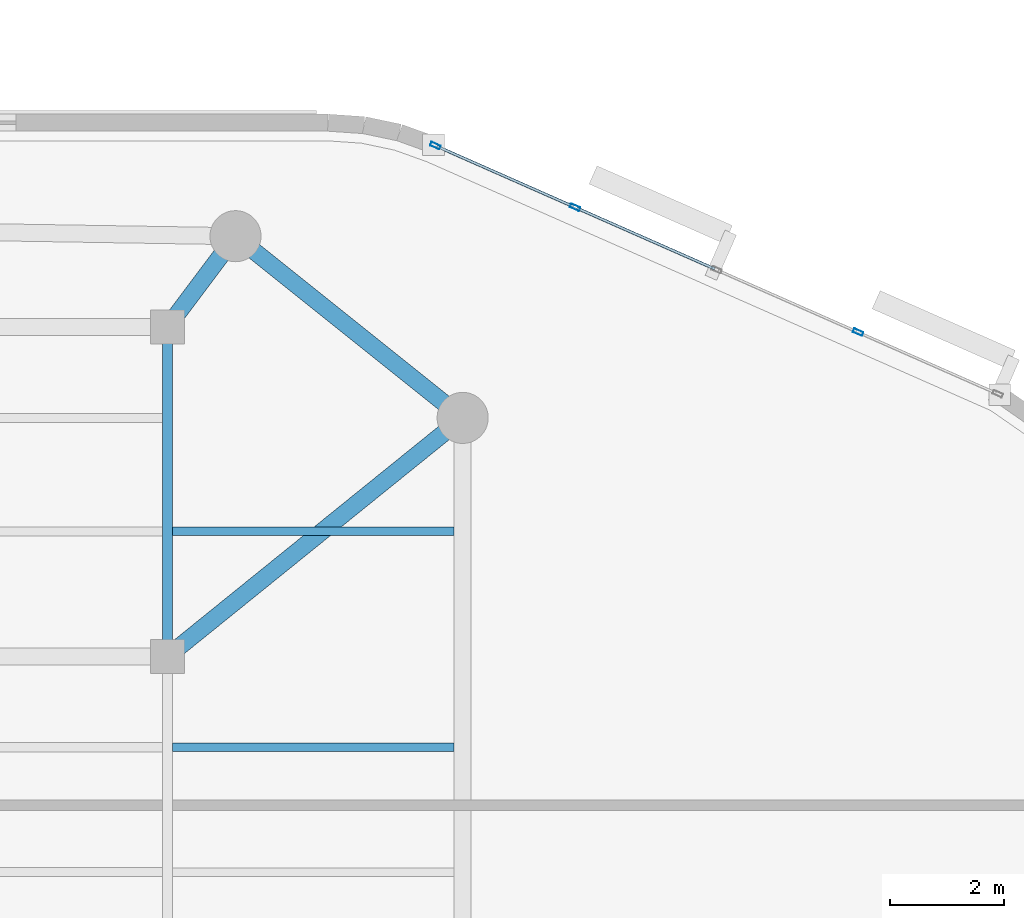
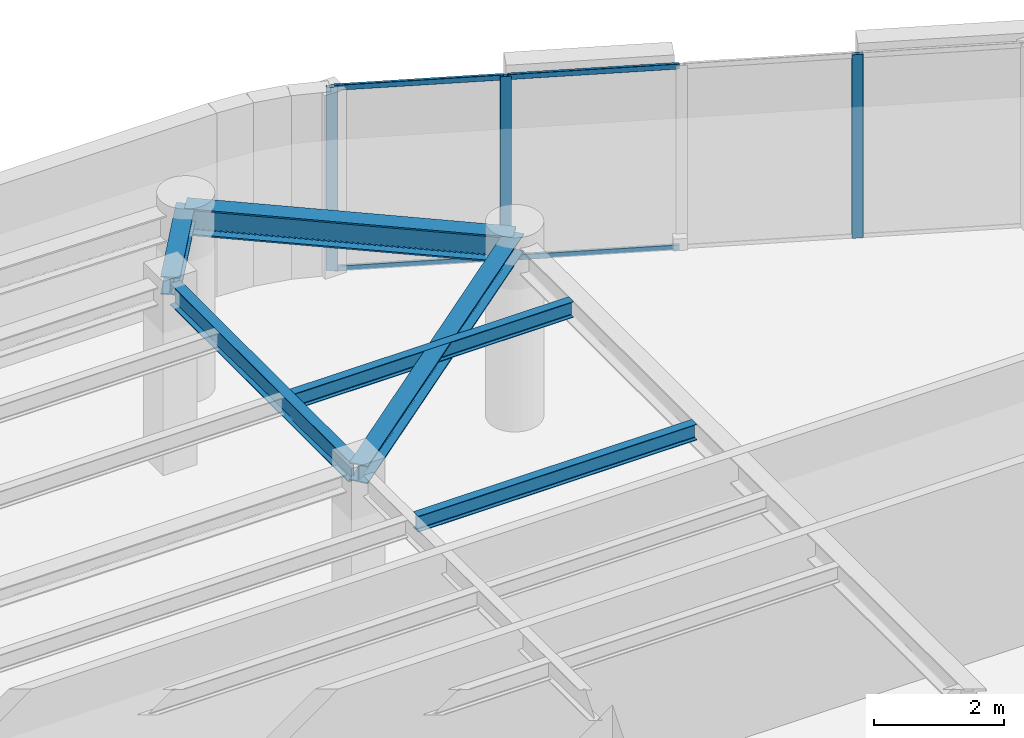
# One storey, part 5 of 12: 7 members, 6 beams, 1 element without a shape of its own.
"""IFC4 building model written with IfcOpenShell, lengths in metres."""

import ifcopenshell
import ifcopenshell.guid

model = None  # the IFC model being written
_history = None  # IfcOwnerHistory: only IFC2X3 demands one
_inside = {}  # id of a spatial element -> (the spatial element, [elements in it])
_under = {}  # id of a project, library or spatial element -> (it, [spatial elements below it])
_declared = {}  # id of a project -> (the project, [libraries it declares])
_typed = {}  # id of a type object -> (the type object, [elements of that type])
_made_of = {}  # id of a material, layer set ... -> (it, [elements and type objects made of it])


def new_model(schema):
    """Start an empty IFC model of exactly this schema.

    Asked for "IFC4X3", IfcOpenShell would pick the latest addendum, in which some entities
    have other attributes; the version numbers below select the first issue.
    IFC2X3 requires an IfcOwnerHistory on every rooted entity: one is made here for all.
    """
    global model, _history
    if schema == "IFC4X3":
        model = ifcopenshell.file(schema_version=(4, 3, 0, 0))
    else:
        model = ifcopenshell.file(schema=schema)
    _inside.clear()
    _under.clear()
    _declared.clear()
    _typed.clear()
    _made_of.clear()
    _history = None
    if model.schema == "IFC2X3":
        org = make("IfcOrganization", Name="unknown")
        user = make(
            "IfcPersonAndOrganization",
            ThePerson=make("IfcPerson", FamilyName="unknown"),
            TheOrganization=org,
        )
        app = make(
            "IfcApplication",
            ApplicationDeveloper=org,
            Version="unknown",
            ApplicationFullName="unknown",
            ApplicationIdentifier="unknown",
        )
        _history = make(
            "IfcOwnerHistory",
            OwningUser=user,
            OwningApplication=app,
            ChangeAction="ADDED",
            CreationDate=0,
        )
    return model


def make(cls, **values):
    """One entity of the class cls with the attributes given. An attribute that is None is left unset."""
    return model.create_entity(
        cls, **{name: value for name, value in values.items() if value is not None}
    )


def rooted(cls, **values):
    """An entity with a GlobalId (a new one), such as an element, a storey or a relation."""
    return make(cls, GlobalId=ifcopenshell.guid.new(), OwnerHistory=_history, **values)


def si_unit(unit_type, name, prefix=None):
    """IfcSIUnit, for example si_unit("LENGTHUNIT", "METRE", prefix="MILLI")."""
    return make("IfcSIUnit", UnitType=unit_type, Prefix=prefix, Name=name)


def assignment(units):
    """IfcUnitAssignment: the units of a project."""
    return None if units is None else make("IfcUnitAssignment", Units=units)


def point(xyz):
    """IfcCartesianPoint."""
    return None if xyz is None else make("IfcCartesianPoint", Coordinates=xyz)


def direction(xyz):
    """IfcDirection."""
    return None if xyz is None else make("IfcDirection", DirectionRatios=xyz)


def frame(location, z_axis=None, x_axis=None):
    """IfcAxis2Placement3D, a coordinate frame: its origin and axes. An axis left out is left unset."""
    return make(
        "IfcAxis2Placement3D",
        Location=point(location),
        Axis=direction(z_axis),
        RefDirection=direction(x_axis),
    )


def frame_2d(location, x_axis=None):
    """IfcAxis2Placement2D, a coordinate frame in the plane: its origin and x axis."""
    return make(
        "IfcAxis2Placement2D", Location=point(location), RefDirection=direction(x_axis)
    )


def origin():
    """The frame at (0, 0, 0) with its axes left unset."""
    return frame((0.0, 0.0, 0.0))


def origin_2d():
    """The frame at (0, 0) in the plane with its x axis left unset."""
    return frame_2d((0.0, 0.0))


def place(relative_to, where):
    """IfcLocalPlacement: puts the frame where relative to a parent placement (None: the world)."""
    return make(
        "IfcLocalPlacement", PlacementRelTo=relative_to, RelativePlacement=where
    )


def context(
    kind, dimensions, precision=None, world=None, true_north=None, identifier=None
):
    """IfcGeometricRepresentationContext, for example the 3D "Model" context."""
    return make(
        "IfcGeometricRepresentationContext",
        ContextIdentifier=identifier,
        ContextType=kind,
        CoordinateSpaceDimension=dimensions,
        Precision=precision,
        WorldCoordinateSystem=world,
        TrueNorth=true_north,
    )


def subcontext(parent, identifier, kind, view, scale=None):
    """IfcGeometricRepresentationSubContext, for example "Body" below "Model"."""
    return make(
        "IfcGeometricRepresentationSubContext",
        ContextIdentifier=identifier,
        ContextType=kind,
        ParentContext=parent,
        TargetScale=scale,
        TargetView=view,
    )


def project(units=None, contexts=None):
    """IfcProject with its units and contexts."""
    return rooted(
        "IfcProject",
        Name="project",
        RepresentationContexts=contexts,
        UnitsInContext=assignment(units),
    )


def spatial(cls, under=None, at=None, **own):
    """A site, building, storey or space (cls), placed at a placement, below another one or the project."""
    s = rooted(cls, ObjectPlacement=at, **own)
    if under is not None:
        _under.setdefault(under.id(), (under, []))[1].append(s)
    return s


def profile(cls, at=None, kind="AREA", **sizes):
    """A parametric profile (cls). Its sizes go by their IFC names, for example OverallWidth=200.0."""
    return make(cls, ProfileType=kind, Position=at, **sizes)


def hollow_rectangle(**sizes):
    """IfcRectangleHollowProfileDef."""
    return profile("IfcRectangleHollowProfileDef", **sizes)


def i_section(**sizes):
    """IfcIShapeProfileDef."""
    return profile("IfcIShapeProfileDef", **sizes)


def extrude(swept, where, along, depth):
    """IfcExtrudedAreaSolid: the profile swept, set in the frame where, extruded along a direction by depth."""
    return make(
        "IfcExtrudedAreaSolid",
        SweptArea=swept,
        Position=where,
        ExtrudedDirection=direction(along),
        Depth=depth,
    )


def shape(context_of_items, identifier, shape_type, items):
    """IfcShapeRepresentation: the items that make up one representation, for example the "Body"."""
    return make(
        "IfcShapeRepresentation",
        ContextOfItems=context_of_items,
        RepresentationIdentifier=identifier,
        RepresentationType=shape_type,
        Items=items,
    )


def material(Name=None, Category=None):
    """IfcMaterial."""
    return make("IfcMaterial", Name=Name, Category=Category)


def layer(
    of_material, thickness, ventilated=None, Name=None, Category=None, Priority=None
):
    """IfcMaterialLayer: one layer of a wall or slab, of a material (None: an air gap)."""
    return make(
        "IfcMaterialLayer",
        Material=of_material,
        LayerThickness=thickness,
        IsVentilated=ventilated,
        Name=Name,
        Category=Category,
        Priority=Priority,
    )


def layer_set(layers, Name=None):
    """IfcMaterialLayerSet."""
    return make("IfcMaterialLayerSet", MaterialLayers=layers, LayerSetName=Name)


def material_profile(
    of_material, cross_section, Name=None, Category=None, Priority=None
):
    """IfcMaterialProfile: a cross section and its material."""
    return make(
        "IfcMaterialProfile",
        Name=Name,
        Material=of_material,
        Profile=cross_section,
        Priority=Priority,
        Category=Category,
    )


def profile_set(profiles, Name=None, composite=None):
    """IfcMaterialProfileSet."""
    return make(
        "IfcMaterialProfileSet",
        Name=Name,
        MaterialProfiles=profiles,
        CompositeProfile=composite,
    )


def made_of(thing, what):
    """Note that an element or type object is made of a material, layer set ...; save() writes the relation."""
    if what is not None:
        _made_of.setdefault(what.id(), (what, []))[1].append(thing)
    return thing


def type_object(cls, material=None, **own):
    """A type object (cls), such as IfcWallType, which elements share."""
    return made_of(rooted(cls, **own), material)


def element(
    cls,
    number,
    at=None,
    inside=None,
    cuts=None,
    type_object=None,
    material=None,
    context=None,
    identifier="Body",
    shape_type=None,
    held_by="IfcProductDefinitionShape",
    body=None,
    shapes=None,
    **own,
):
    """One element of the class cls, such as IfcWall. Its Tag is "e" and its number.

    at: its placement. inside: the storey or other place that contains it. cuts: it is an
    opening in that element (IfcRelVoidsElement). A single representation is given by context,
    identifier, shape_type and body (its items); several are given by shapes. held_by: the class
    of the entity that holds the representations. save() writes the other relations.
    """
    e = rooted(cls, Tag="e%d" % number, ObjectPlacement=at, **own)
    if body is not None:
        shapes = [shape(context, identifier, shape_type, body)]
    if shapes is not None:
        e.Representation = make(held_by, Representations=shapes)
    if inside is not None:
        _inside.setdefault(inside.id(), (inside, []))[1].append(e)
    if cuts is not None:
        rooted(
            "IfcRelVoidsElement", RelatingBuildingElement=cuts, RelatedOpeningElement=e
        )
    if type_object is not None:
        _typed.setdefault(type_object.id(), (type_object, []))[1].append(e)
    return made_of(e, material)


def aggregate(whole, parts):
    """IfcRelAggregates: a whole, such as a stair, and the parts it consists of."""
    return rooted("IfcRelAggregates", RelatingObject=whole, RelatedObjects=parts)


def save(model, path):
    """Write the relations noted so far, then the file.

    IfcRelAggregates (storeys below a building ...), IfcRelContainedInSpatialStructure (elements
    in a storey), IfcRelDefinesByType, IfcRelAssociatesMaterial and IfcRelDeclares: one each for
    every whole, place, type object, material and project.
    """
    for whole, parts in _under.values():
        aggregate(whole, parts)
    for where, things in _inside.values():
        rooted(
            "IfcRelContainedInSpatialStructure",
            RelatedElements=things,
            RelatingStructure=where,
        )
    for kind, things in _typed.values():
        rooted("IfcRelDefinesByType", RelatedObjects=things, RelatingType=kind)
    for what, things in _made_of.values():
        rooted("IfcRelAssociatesMaterial", RelatedObjects=things, RelatingMaterial=what)
    for by, libraries in _declared.values():
        rooted("IfcRelDeclares", RelatingContext=by, RelatedDefinitions=libraries)
    model.write(path)


model = new_model("IFC4")

# Units and contexts
model_context = context("Model", 3, precision=1e-05, world=origin(), true_north=direction((0.0, 1.0)))
body_context = subcontext(model_context, "Body", "Model", "MODEL_VIEW")
ifc_project = project(units=[si_unit("LENGTHUNIT", "METRE"), si_unit("AREAUNIT", "SQUARE_METRE"), si_unit("VOLUMEUNIT", "CUBIC_METRE"), si_unit("PLANEANGLEUNIT", "RADIAN"), si_unit("MASSUNIT", "GRAM", prefix="KILO")], contexts=[model_context])

# Site, building, storey
site_placement = place(None, origin())
site = spatial("IfcSite", under=ifc_project, at=site_placement, CompositionType="ELEMENT")
building_placement = place(site_placement, origin())
building = spatial("IfcBuilding", under=site, at=building_placement, Name="An Khanh Terracotta Commons", CompositionType="ELEMENT")
storey_placement = place(building_placement, frame((0.0, 0.0, 273.39990234375)))
storey = spatial("IfcBuildingStorey", under=building, at=storey_placement, Name="L71", CompositionType="ELEMENT", Elevation=273.39990234375)

# Beams
ifc_material_1 = material(Name="Steel S355J2", Category="steel")
ifc_material_profile_1 = material_profile(ifc_material_1, i_section(OverallWidth=0.300048828125, OverallDepth=0.340087890625, WebThickness=0.011962890625, FlangeThickness=0.021484375, FilletRadius=0.027099609375, at=origin_2d()), Name="HEB340")
ifc_profile_set_1 = profile_set([ifc_material_profile_1], Name="Steel S355J2")
beam_type_1 = type_object("IfcBeamType", Name="BM-HEB340", PredefinedType="BEAM", material=ifc_profile_set_1)
beam_1_placement = place(storey_placement, frame((63.39990234375, 32.0, 3.280029296875), z_axis=(-0.777941866883, -0.628336256913, 0.0), x_axis=(0.628336256913, -0.777941866883, 0.0)))
element("IfcBeam", 1, at=beam_1_placement, inside=storey, type_object=beam_type_1, Name="L71 Mega-Column Tie Girder 4", PredefinedType="BEAM", context=body_context, shape_type="SweptSolid", body=[
    extrude(i_section(OverallWidth=0.300048828125, OverallDepth=0.340087890625, WebThickness=0.011962890625, FlangeThickness=0.021484375, FilletRadius=0.027099609375, at=origin_2d()), origin(), (0.0, 0.0, 1.0), 6.684326171875),
])
beam_2_placement = place(storey_placement, frame((59.39990234375, 35.199951171875, 3.280029296875), z_axis=(-0.600019532502, -0.799985350251, 0.0), x_axis=(0.799985350251, -0.600019532502, 0.0)))
element("IfcBeam", 2, at=beam_2_placement, inside=storey, type_object=beam_type_1, Name="L71 Mega-Column Tie Girder 5", PredefinedType="BEAM", context=body_context, shape_type="SweptSolid", body=[
    extrude(i_section(OverallWidth=0.300048828125, OverallDepth=0.340087890625, WebThickness=0.011962890625, FlangeThickness=0.021484375, FilletRadius=0.027099609375, at=origin_2d()), origin(), (0.0, 0.0, 1.0), 1.999755859375),
])
ifc_material_profile_2 = material_profile(ifc_material_1, i_section(OverallWidth=0.300048828125, OverallDepth=0.5, WebThickness=0.014404296875, FlangeThickness=0.028076171875, FilletRadius=0.027099609375, at=origin_2d()), Name="HEB500")
ifc_profile_set_2 = profile_set([ifc_material_profile_2], Name="Steel S355J2")
beam_type_2 = type_object("IfcBeamType", Name="BM-HEB500", PredefinedType="BEAM", material=ifc_profile_set_2)
beam_3_placement = place(storey_placement, frame((63.39990234375, 32.0, 3.2001953125), z_axis=(-0.780873459249, 0.624689235253, 0.0), x_axis=(-0.624689235253, -0.780873459249, 0.0)))
element("IfcBeam", 3, at=beam_3_placement, inside=storey, type_object=beam_type_2, Name="L71 Perimeter Ring Spandrel 4", PredefinedType="BEAM", context=body_context, shape_type="SweptSolid", body=[
    extrude(i_section(OverallWidth=0.300048828125, OverallDepth=0.5, WebThickness=0.014404296875, FlangeThickness=0.028076171875, FilletRadius=0.027099609375, at=origin_2d()), origin(), (0.0, 0.0, 1.0), 5.12255859375),
])
ifc_material_profile_3 = material_profile(ifc_material_1, i_section(OverallWidth=0.14990234375, OverallDepth=0.300048828125, WebThickness=0.007080078125, FlangeThickness=0.0107421875, FilletRadius=0.014892578125, at=origin_2d()), Name="IPE300")
ifc_profile_set_3 = profile_set([ifc_material_profile_3], Name="Steel S355J2")
beam_type_3 = type_object("IfcBeamType", Name="BM-IPE300", PredefinedType="JOIST", material=ifc_profile_set_3)
for number, where, z_axis, x_axis, name in (
    (4, (58.2900390625, 26.199951171875, 3.300048828125), (1.0, 0.0, 0.0), (0.0, 1.0, 0.0), "L71 Riverfront Composite Joist 5"),
    (5, (58.2900390625, 30.0, 3.300048828125), (1.0, 0.0, 0.0), (0.0, 1.0, 0.0), "L71 Riverfront Composite Joist 6"),
):
    element("IfcBeam", number, at=place(storey_placement, frame(where, z_axis=z_axis, x_axis=x_axis)), inside=storey, type_object=beam_type_3, Name=name, PredefinedType="JOIST", context=body_context, shape_type="SweptSolid", body=[
        extrude(i_section(OverallWidth=0.14990234375, OverallDepth=0.300048828125, WebThickness=0.007080078125, FlangeThickness=0.0107421875, FilletRadius=0.014892578125, at=origin_2d()), origin(), (0.0, 0.0, 1.0), 4.9599609375),
    ])
ifc_material_profile_4 = material_profile(ifc_material_1, i_section(OverallWidth=0.179931640625, OverallDepth=0.39990234375, WebThickness=0.008544921875, FlangeThickness=0.013427734375, FilletRadius=0.02099609375, at=origin_2d()), Name="IPE400")
ifc_profile_set_4 = profile_set([ifc_material_profile_4], Name="Steel S355J2")
beam_type_4 = type_object("IfcBeamType", Name="BM-IPE400", PredefinedType="JOIST", material=ifc_profile_set_4)
beam_4_placement = place(storey_placement, frame((58.199951171875, 27.949951171875, 3.25), z_axis=(0.0, 1.0, 0.0), x_axis=(-1.0, 0.0, 0.0)))
element("IfcBeam", 6, at=beam_4_placement, inside=storey, type_object=beam_type_4, Name="L71 East Spine Girder 3", PredefinedType="JOIST", context=body_context, shape_type="SweptSolid", body=[
    extrude(i_section(OverallWidth=0.179931640625, OverallDepth=0.39990234375, WebThickness=0.008544921875, FlangeThickness=0.013427734375, FilletRadius=0.02099609375, at=origin_2d()), origin(), (0.0, 0.0, 1.0), 5.5),
])

# Curtain wall, members
ifc_material_2 = material(Name="Anodised Aluminium 6063-T6", Category="aluminium")
ifc_layer = layer(ifc_material_2, 0.2099609375, Name="Anodised Aluminium 6063-T6")
ifc_layer_set = layer_set([ifc_layer], Name="Anodised Aluminium 6063-T6")
curtain_wall_type = type_object("IfcCurtainWallType", Name="CW-SYS-03", PredefinedType="USERDEFINED", material=ifc_layer_set)
curtain_wall_placement = place(storey_placement, origin())
curtain_wall = element("IfcCurtainWall", 7, at=curtain_wall_placement, inside=storey, type_object=curtain_wall_type, Name="L71 CW-03 Unitised Curtain Wall CW-L71-16", ObjectType="UNITISED CURTAIN WALL", PredefinedType="USERDEFINED")
ifc_material_profile_5 = material_profile(ifc_material_2, hollow_rectangle(XDim=0.070068359375, YDim=0.179931640625, WallThickness=0.00390625, InnerFilletRadius=0.00390625, OuterFilletRadius=0.008056640625, at=origin_2d()), Name="RHS180x70x4")
ifc_profile_set_5 = profile_set([ifc_material_profile_5], Name="Anodised Aluminium 6063-T6")
member_type_1 = type_object("IfcMemberType", Name="CWM-RHS180x70x4", PredefinedType="MULLION", material=ifc_profile_set_5)
member_1_placement = place(storey_placement, frame((70.364501953125, 33.509765625, 0.0), z_axis=(0.0, 0.0, 1.0), x_axis=(-0.403676354285, -0.914901853201, 0.0)))
member_1 = element("IfcMember", 8, at=member_1_placement, type_object=member_type_1, Name="CW-03 mullion 2", PredefinedType="MULLION", context=body_context, shape_type="SweptSolid", body=[
    extrude(hollow_rectangle(XDim=0.070068359375, YDim=0.179931640625, WallThickness=0.00390625, InnerFilletRadius=0.00390625, OuterFilletRadius=0.008056640625, at=origin_2d()), origin(), (0.0, 0.0, 1.0), 3.4501953125),
])
member_2_placement = place(storey_placement, frame((65.37939453125, 35.709228515625, 0.0), z_axis=(0.0, 0.0, 1.0), x_axis=(-0.403676354285, -0.914901853201, 0.0)))
member_2 = element("IfcMember", 9, at=member_2_placement, type_object=member_type_1, Name="CW-03 mullion 4", PredefinedType="MULLION", context=body_context, shape_type="SweptSolid", body=[
    extrude(hollow_rectangle(XDim=0.070068359375, YDim=0.179931640625, WallThickness=0.00390625, InnerFilletRadius=0.00390625, OuterFilletRadius=0.008056640625, at=origin_2d()), origin(), (0.0, 0.0, 1.0), 3.4501953125),
])
member_3_placement = place(storey_placement, frame((62.9189453125, 36.794921875, 0.0), z_axis=(0.0, 0.0, 1.0), x_axis=(-0.403676354285, -0.914901853201, 0.0)))
member_3 = element("IfcMember", 10, at=member_3_placement, type_object=member_type_1, Name="CW-03 mullion 5", PredefinedType="MULLION", context=body_context, shape_type="SweptSolid", body=[
    extrude(hollow_rectangle(XDim=0.070068359375, YDim=0.179931640625, WallThickness=0.00390625, InnerFilletRadius=0.00390625, OuterFilletRadius=0.008056640625, at=origin_2d()), origin(), (0.0, 0.0, 1.0), 3.4501953125),
])
ifc_material_profile_6 = material_profile(ifc_material_2, hollow_rectangle(XDim=0.050048828125, YDim=0.10009765625, WallThickness=0.003173828125, InnerFilletRadius=0.003173828125, OuterFilletRadius=0.00634765625, at=origin_2d()), Name="RHS100x50x3.2")
ifc_profile_set_6 = profile_set([ifc_material_profile_6], Name="Anodised Aluminium 6063-T6")
member_type_2 = type_object("IfcMemberType", Name="CWT-RHS100x50x3.2", PredefinedType="USERDEFINED", material=ifc_profile_set_6)
member_4_placement = place(storey_placement, frame((67.840087890625, 34.62353515625, 0.025146484375), z_axis=(-0.914896820753, 0.403687759755, 0.0), x_axis=(-0.403687759755, -0.914896820753, 0.0)))
member_4 = element("IfcMember", 11, at=member_4_placement, type_object=member_type_2, Name="CW-03 transom 3.1", ObjectType="TRANSOM", PredefinedType="USERDEFINED", context=body_context, shape_type="SweptSolid", body=[
    extrude(hollow_rectangle(XDim=0.050048828125, YDim=0.10009765625, WallThickness=0.003173828125, InnerFilletRadius=0.003173828125, OuterFilletRadius=0.00634765625, at=origin_2d()), origin(), (0.0, 0.0, 1.0), 2.654296875),
])
member_5_placement = place(storey_placement, frame((67.840087890625, 34.62353515625, 3.425048828125), z_axis=(-0.914896820753, 0.403687759755, 0.0), x_axis=(-0.403687759755, -0.914896820753, 0.0)))
member_5 = element("IfcMember", 12, at=member_5_placement, type_object=member_type_2, Name="CW-03 transom 3.2", ObjectType="TRANSOM", PredefinedType="USERDEFINED", context=body_context, shape_type="SweptSolid", body=[
    extrude(hollow_rectangle(XDim=0.050048828125, YDim=0.10009765625, WallThickness=0.003173828125, InnerFilletRadius=0.003173828125, OuterFilletRadius=0.00634765625, at=origin_2d()), origin(), (0.0, 0.0, 1.0), 2.654296875),
])
member_6_placement = place(storey_placement, frame((65.347412109375, 35.723388671875, 0.025146484375), z_axis=(-0.914903627858, 0.403672332137, 0.0), x_axis=(-0.403672332137, -0.914903627858, 0.0)))
member_6 = element("IfcMember", 13, at=member_6_placement, type_object=member_type_2, Name="CW-03 transom 4.1", ObjectType="TRANSOM", PredefinedType="USERDEFINED", context=body_context, shape_type="SweptSolid", body=[
    extrude(hollow_rectangle(XDim=0.050048828125, YDim=0.10009765625, WallThickness=0.003173828125, InnerFilletRadius=0.003173828125, OuterFilletRadius=0.00634765625, at=origin_2d()), origin(), (0.0, 0.0, 1.0), 2.619384765625),
])
member_7_placement = place(storey_placement, frame((65.347412109375, 35.723388671875, 3.425048828125), z_axis=(-0.914903627858, 0.403672332137, 0.0), x_axis=(-0.403672332137, -0.914903627858, 0.0)))
member_7 = element("IfcMember", 14, at=member_7_placement, type_object=member_type_2, Name="CW-03 transom 4.2", ObjectType="TRANSOM", PredefinedType="USERDEFINED", context=body_context, shape_type="SweptSolid", body=[
    extrude(hollow_rectangle(XDim=0.050048828125, YDim=0.10009765625, WallThickness=0.003173828125, InnerFilletRadius=0.003173828125, OuterFilletRadius=0.00634765625, at=origin_2d()), origin(), (0.0, 0.0, 1.0), 2.619384765625),
])
aggregate(curtain_wall, [member_1, member_2, member_3, member_4, member_5, member_6, member_7])

save(model, "model.ifc")
